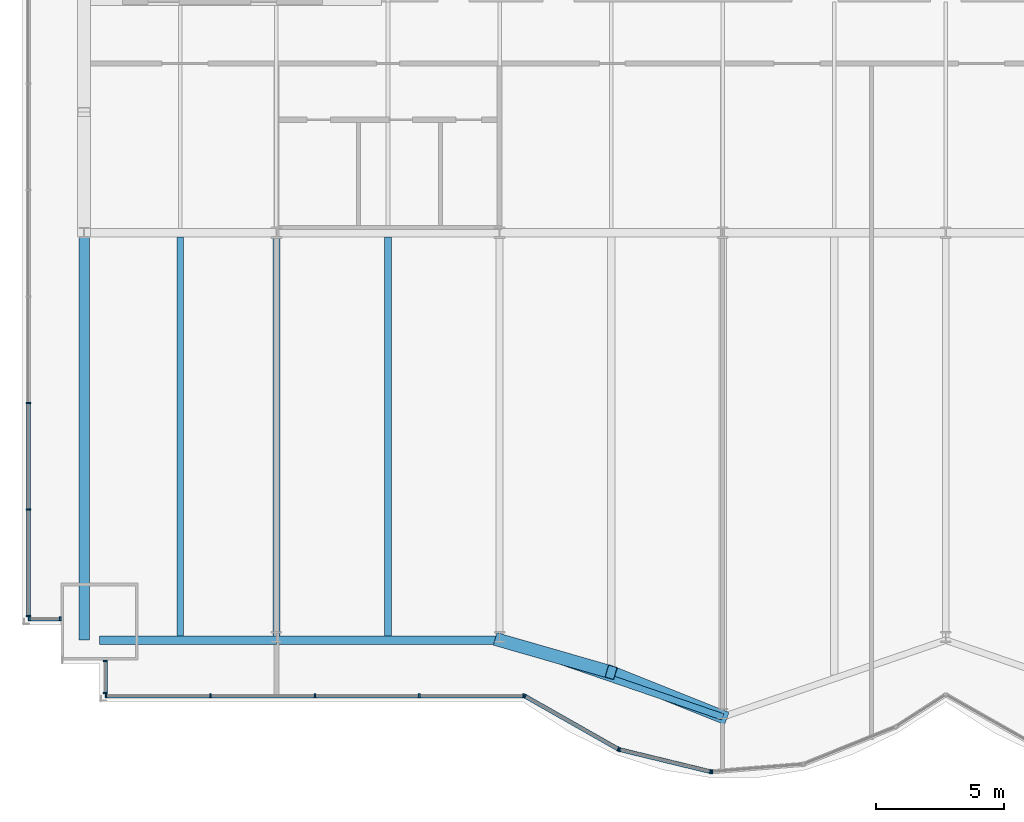
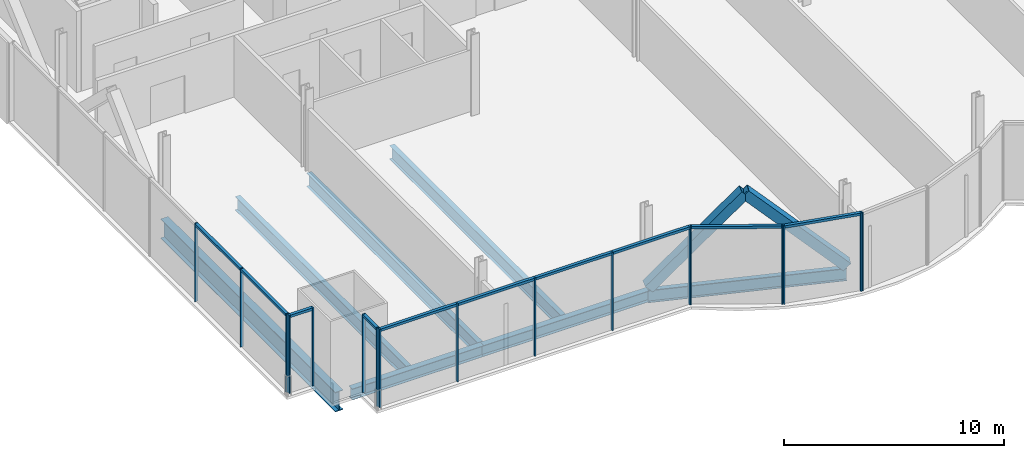
# One storey, part 4 of 21: 29 members, 7 beams, 5 elements without a shape of their own.
"""IFC4 building model written with IfcOpenShell, lengths in metres."""

from ifc_helpers import new_model, si_unit, direction, frame, origin, origin_2d, place, context, subcontext, project, spatial, rectangle, hollow_rectangle, i_section, extrude, material, material_profile, profile_set, type_object, element, aggregate, save


model = new_model("IFC4")

# Units and contexts
model_context = context("Model", 3, precision=1e-05, world=origin(), true_north=direction((0.0, 1.0)))
body_context = subcontext(model_context, "Body", "Model", "MODEL_VIEW")
ifc_project = project(units=[si_unit("LENGTHUNIT", "METRE"), si_unit("AREAUNIT", "SQUARE_METRE"), si_unit("VOLUMEUNIT", "CUBIC_METRE"), si_unit("PLANEANGLEUNIT", "RADIAN"), si_unit("MASSUNIT", "GRAM", prefix="KILO")], contexts=[model_context])

# Site, building, storey
site_placement = place(None, origin())
site = spatial("IfcSite", under=ifc_project, at=site_placement, CompositionType="ELEMENT")
building_placement = place(site_placement, origin())
building = spatial("IfcBuilding", under=site, at=building_placement, Name="Bicima Exchange Tower", CompositionType="ELEMENT")
storey_placement = place(building_placement, frame((0.0, 0.0, 66.5)))
storey = spatial("IfcBuildingStorey", under=building, at=storey_placement, Name="L13", CompositionType="ELEMENT", Elevation=66.5)

# Curtain wall, members
ifc_material_1 = material(Name="Anodised bronze aluminium", Category="aluminium")
curtain_wall_type_1 = type_object("IfcCurtainWallType", Name="End face glass wall", PredefinedType="NOTDEFINED", material=ifc_material_1)
curtain_wall_1_placement = place(storey_placement, origin())
curtain_wall_1 = element("IfcCurtainWall", 1, at=curtain_wall_1_placement, inside=storey, type_object=curtain_wall_type_1, Name="End face glass wall L13 run 2", PredefinedType="NOTDEFINED")
ifc_material_profile_1 = material_profile(ifc_material_1, rectangle(XDim=0.159912109375, YDim=0.06005859375, at=origin_2d()))
ifc_profile_set_1 = profile_set([ifc_material_profile_1], Name="Anodised bronze aluminium")
member_type_1 = type_object("IfcMemberType", Name="End face glass wall mullion 60 x 160", PredefinedType="MULLION", material=ifc_profile_set_1)
member_1_placement = place(storey_placement, frame((-35.77001953125, -28.644775390625, 0.0), z_axis=(0.0, 0.0, 1.0), x_axis=(1.0, 0.0, 0.0)))
member_1 = element("IfcMember", 2, at=member_1_placement, type_object=member_type_1, Name="End face glass wall mullion 5", PredefinedType="MULLION", context=body_context, shape_type="SweptSolid", body=[
    extrude(rectangle(XDim=0.159912109375, YDim=0.06005859375, at=origin_2d()), origin(), (0.0, 0.0, 1.0), 4.35009765625),
])
member_2_placement = place(storey_placement, frame((-35.77001953125, -32.79833984375, 0.0), z_axis=(0.0, 0.0, 1.0), x_axis=(1.0, 0.0, 0.0)))
member_2 = element("IfcMember", 3, at=member_2_placement, type_object=member_type_1, Name="End face glass wall mullion 6", PredefinedType="MULLION", context=body_context, shape_type="SweptSolid", body=[
    extrude(rectangle(XDim=0.159912109375, YDim=0.06005859375, at=origin_2d()), origin(), (0.0, 0.0, 1.0), 4.35009765625),
])
member_3_placement = place(storey_placement, frame((-35.77001953125, -36.951904296875, 0.0), z_axis=(0.0, 0.0, 1.0), x_axis=(1.0, 0.0, 0.0)))
member_3 = element("IfcMember", 4, at=member_3_placement, type_object=member_type_1, Name="End face glass wall mullion 7", PredefinedType="MULLION", context=body_context, shape_type="SweptSolid", body=[
    extrude(rectangle(XDim=0.159912109375, YDim=0.06005859375, at=origin_2d()), origin(), (0.0, 0.0, 1.0), 4.35009765625),
])
ifc_material_profile_2 = material_profile(ifc_material_1, rectangle(XDim=0.159912109375, YDim=0.139892578125, at=origin_2d()))
ifc_profile_set_2 = profile_set([ifc_material_profile_2], Name="Anodised bronze aluminium")
member_type_2 = type_object("IfcMemberType", Name="End face glass wall transom 140 x 160", PredefinedType="USERDEFINED", material=ifc_profile_set_2)
member_4_placement = place(storey_placement, frame((-35.77001953125, -28.6748046875, 4.280029296875), z_axis=(0.0, -1.0, 0.0), x_axis=(1.0, 0.0, 0.0)))
member_4 = element("IfcMember", 5, at=member_4_placement, type_object=member_type_2, Name="End face glass wall transom 5.1", ObjectType="TRANSOM", PredefinedType="USERDEFINED", context=body_context, shape_type="SweptSolid", body=[
    extrude(rectangle(XDim=0.159912109375, YDim=0.139892578125, at=origin_2d()), origin(), (0.0, 0.0, 1.0), 4.093505859375),
])
member_5_placement = place(storey_placement, frame((-35.77001953125, -32.828369140625, 4.280029296875), z_axis=(0.0, -1.0, 0.0), x_axis=(1.0, 0.0, 0.0)))
member_5 = element("IfcMember", 6, at=member_5_placement, type_object=member_type_2, Name="End face glass wall transom 6.1", ObjectType="TRANSOM", PredefinedType="USERDEFINED", context=body_context, shape_type="SweptSolid", body=[
    extrude(rectangle(XDim=0.159912109375, YDim=0.139892578125, at=origin_2d()), origin(), (0.0, 0.0, 1.0), 4.09375),
])
aggregate(curtain_wall_1, [member_1, member_2, member_3, member_4, member_5])

# Beams
ifc_material_2 = material(Name="Steel ASTM A992 Gr 50", Category="steel")
ifc_material_profile_3 = material_profile(ifc_material_2, i_section(OverallWidth=0.4013671875, OverallDepth=1.089599609375, WebThickness=0.01806640625, FlangeThickness=0.031005859375, at=origin_2d()))
ifc_profile_set_3 = profile_set([ifc_material_profile_3], Name="Steel ASTM A992 Gr 50")
beam_type_1 = type_object("IfcBeamType", Name="End girder W44x230", PredefinedType="BEAM", material=ifc_profile_set_3)
beam_1_placement = place(storey_placement, frame((-33.60009765625, -22.0, -0.69482421875), z_axis=(0.0, -1.0, 0.0), x_axis=(1.0, 0.0, 0.0)))
element("IfcBeam", 7, at=beam_1_placement, inside=storey, type_object=beam_type_1, Name="End girder", PredefinedType="BEAM", context=body_context, shape_type="SweptSolid", body=[
    extrude(i_section(OverallWidth=0.4013671875, OverallDepth=1.089599609375, WebThickness=0.01806640625, FlangeThickness=0.031005859375, at=origin_2d()), origin(), (0.0, 0.0, 1.0), 15.89208984375),
])
ifc_material_profile_4 = material_profile(ifc_material_2, i_section(OverallWidth=0.2666015625, OverallDepth=0.75439453125, WebThickness=0.01318359375, FlangeThickness=0.01708984375, at=origin_2d()))
ifc_profile_set_4 = profile_set([ifc_material_profile_4], Name="Steel ASTM A992 Gr 50")
beam_type_2 = type_object("IfcBeamType", Name="Floor beam W30x99", PredefinedType="JOIST", material=ifc_profile_set_4)
for number, where, z_axis, x_axis, name in (
    (8, (-29.85009765625, -22.16259765625, -0.527099609375), (0.0, -1.0, 0.0), (1.0, 0.0, 0.0), "Floor beam"),
    (9, (-26.10009765625, -22.16259765625, -0.527099609375), (0.0, -1.0, 0.0), (1.0, 0.0, 0.0), "Floor beam"),
    (10, (-21.75, -22.16259765625, -0.527099609375), (0.0, -1.0, 0.0), (1.0, 0.0, 0.0), "Floor beam"),
):
    element("IfcBeam", number, at=place(storey_placement, frame(where, z_axis=z_axis, x_axis=x_axis)), inside=storey, type_object=beam_type_2, Name=name, PredefinedType="JOIST", context=body_context, shape_type="SweptSolid", body=[
        extrude(i_section(OverallWidth=0.2666015625, OverallDepth=0.75439453125, WebThickness=0.01318359375, FlangeThickness=0.01708984375, at=origin_2d()), origin(), (0.0, 0.0, 1.0), 15.56689453125),
    ])
ifc_material_profile_5 = material_profile(ifc_material_2, i_section(OverallWidth=0.3251953125, OverallDepth=0.612060546875, WebThickness=0.0126953125, FlangeThickness=0.01904296875, at=origin_2d()))
ifc_profile_set_5 = profile_set([ifc_material_profile_5], Name="Steel ASTM A992 Gr 50")
beam_type_3 = type_object("IfcBeamType", Name="Front girder W24x104", PredefinedType="BEAM", material=ifc_profile_set_5)
beam_2_placement = place(storey_placement, frame((-33.0, -37.89208984375, -0.4560546875), z_axis=(1.0, 0.0, 0.0), x_axis=(0.0, 1.0, 0.0)))
element("IfcBeam", 11, at=beam_2_placement, inside=storey, type_object=beam_type_3, Name="Front girder", PredefinedType="BEAM", context=body_context, shape_type="SweptSolid", body=[
    extrude(i_section(OverallWidth=0.3251953125, OverallDepth=0.612060546875, WebThickness=0.0126953125, FlangeThickness=0.01904296875, at=origin_2d()), origin(), (0.0, 0.0, 1.0), 6.89990234375),
])
beam_3_placement = place(storey_placement, frame((-26.10009765625, -37.89208984375, -0.4560546875), z_axis=(1.0, 0.0, 0.0), x_axis=(0.0, 1.0, 0.0)))
element("IfcBeam", 12, at=beam_3_placement, inside=storey, type_object=beam_type_3, Name="Front girder", PredefinedType="BEAM", context=body_context, shape_type="SweptSolid", body=[
    extrude(i_section(OverallWidth=0.3251953125, OverallDepth=0.612060546875, WebThickness=0.0126953125, FlangeThickness=0.01904296875, at=origin_2d()), origin(), (0.0, 0.0, 1.0), 8.7001953125),
])
ifc_material_profile_6 = material_profile(ifc_material_2, i_section(OverallWidth=0.256591796875, OverallDepth=0.693359375, WebThickness=0.014404296875, FlangeThickness=0.023681640625, at=origin_2d()))
ifc_profile_set_6 = profile_set([ifc_material_profile_6], Name="Steel ASTM A992 Gr 50")
beam_type_4 = type_object("IfcBeamType", Name="Front girder W27x114", PredefinedType="BEAM", material=ifc_profile_set_6)
beam_4_placement = place(storey_placement, frame((-17.39990234375, -37.89208984375, -0.49658203125), z_axis=(0.945674616091, -0.32511462668, 0.0), x_axis=(0.32511462668, 0.945674616091, 0.0)))
element("IfcBeam", 13, at=beam_4_placement, inside=storey, type_object=beam_type_4, Name="Front girder", PredefinedType="BEAM", context=body_context, shape_type="SweptSolid", body=[
    extrude(i_section(OverallWidth=0.256591796875, OverallDepth=0.693359375, WebThickness=0.014404296875, FlangeThickness=0.023681640625, at=origin_2d()), origin(), (0.0, 0.0, 1.0), 9.19970703125),
])

# Curtain wall, members
curtain_wall_type_2 = type_object("IfcCurtainWallType", Name="Front glass wall", PredefinedType="NOTDEFINED", material=ifc_material_1)
curtain_wall_2_placement = place(storey_placement, origin())
curtain_wall_2 = element("IfcCurtainWall", 14, at=curtain_wall_2_placement, inside=storey, type_object=curtain_wall_type_2, Name="Front glass wall L13 run 3", PredefinedType="NOTDEFINED")
member_type_3 = type_object("IfcMemberType", Name="Front glass wall mullion 60 x 160", PredefinedType="MULLION", material=ifc_profile_set_1)
member_6_placement = place(storey_placement, frame((-35.739990234375, -37.06201171875, 0.0), z_axis=(0.0, 0.0, 1.0), x_axis=(0.0, 1.0, 0.0)))
member_6 = element("IfcMember", 15, at=member_6_placement, type_object=member_type_3, Name="Front glass wall mullion 1", PredefinedType="MULLION", context=body_context, shape_type="SweptSolid", body=[
    extrude(rectangle(XDim=0.159912109375, YDim=0.06005859375, at=origin_2d()), origin(), (0.0, 0.0, 1.0), 4.35009765625),
])
member_7_placement = place(storey_placement, frame((-34.530029296875, -37.06201171875, 0.0), z_axis=(0.0, 0.0, 1.0), x_axis=(0.0, 1.0, 0.0)))
member_7 = element("IfcMember", 16, at=member_7_placement, type_object=member_type_3, Name="Front glass wall mullion 2", PredefinedType="MULLION", context=body_context, shape_type="SweptSolid", body=[
    extrude(rectangle(XDim=0.159912109375, YDim=0.06005859375, at=origin_2d()), origin(), (0.0, 0.0, 1.0), 4.35009765625),
])

curtain_wall_3_placement = place(storey_placement, origin())
curtain_wall_3 = element("IfcCurtainWall", 17, at=curtain_wall_3_placement, inside=storey, type_object=curtain_wall_type_2, Name="Front glass wall L13 run 4", PredefinedType="NOTDEFINED")
member_8_placement = place(storey_placement, frame((-32.77001953125, -38.699951171875, 0.0), z_axis=(0.0, 0.0, 1.0), x_axis=(1.0, 0.0, 0.0)))
member_8 = element("IfcMember", 18, at=member_8_placement, type_object=member_type_3, Name="Front glass wall mullion 1", PredefinedType="MULLION", context=body_context, shape_type="SweptSolid", body=[
    extrude(rectangle(XDim=0.159912109375, YDim=0.06005859375, at=origin_2d()), origin(), (0.0, 0.0, 1.0), 4.35009765625),
])
member_9_placement = place(storey_placement, frame((-32.77001953125, -39.951904296875, 0.0), z_axis=(0.0, 0.0, 1.0), x_axis=(1.0, 0.0, 0.0)))
member_9 = element("IfcMember", 19, at=member_9_placement, type_object=member_type_3, Name="Front glass wall mullion 2", PredefinedType="MULLION", context=body_context, shape_type="SweptSolid", body=[
    extrude(rectangle(XDim=0.159912109375, YDim=0.06005859375, at=origin_2d()), origin(), (0.0, 0.0, 1.0), 4.35009765625),
])

curtain_wall_4_placement = place(storey_placement, origin())
curtain_wall_4 = element("IfcCurtainWall", 20, at=curtain_wall_4_placement, inside=storey, type_object=curtain_wall_type_2, Name="Front glass wall L13 run 5", PredefinedType="NOTDEFINED")
member_10_placement = place(storey_placement, frame((-32.739990234375, -40.06201171875, 0.0), z_axis=(0.0, 0.0, 1.0), x_axis=(0.0, 1.0, 0.0)))
member_10 = element("IfcMember", 21, at=member_10_placement, type_object=member_type_3, Name="Front glass wall mullion 1", PredefinedType="MULLION", context=body_context, shape_type="SweptSolid", body=[
    extrude(rectangle(XDim=0.159912109375, YDim=0.06005859375, at=origin_2d()), origin(), (0.0, 0.0, 1.0), 4.35009765625),
])
member_11_placement = place(storey_placement, frame((-28.67041015625, -40.06201171875, 0.0), z_axis=(0.0, 0.0, 1.0), x_axis=(0.0, 1.0, 0.0)))
member_11 = element("IfcMember", 22, at=member_11_placement, type_object=member_type_3, Name="Front glass wall mullion 2", PredefinedType="MULLION", context=body_context, shape_type="SweptSolid", body=[
    extrude(rectangle(XDim=0.159912109375, YDim=0.06005859375, at=origin_2d()), origin(), (0.0, 0.0, 1.0), 4.35009765625),
])
member_12_placement = place(storey_placement, frame((-24.60107421875, -40.06201171875, 0.0), z_axis=(0.0, 0.0, 1.0), x_axis=(0.0, 1.0, 0.0)))
member_12 = element("IfcMember", 23, at=member_12_placement, type_object=member_type_3, Name="Front glass wall mullion 3", PredefinedType="MULLION", context=body_context, shape_type="SweptSolid", body=[
    extrude(rectangle(XDim=0.159912109375, YDim=0.06005859375, at=origin_2d()), origin(), (0.0, 0.0, 1.0), 4.35009765625),
])
member_13_placement = place(storey_placement, frame((-20.531494140625, -40.06201171875, 0.0), z_axis=(0.0, 0.0, 1.0), x_axis=(0.0, 1.0, 0.0)))
member_13 = element("IfcMember", 24, at=member_13_placement, type_object=member_type_3, Name="Front glass wall mullion 4", PredefinedType="MULLION", context=body_context, shape_type="SweptSolid", body=[
    extrude(rectangle(XDim=0.159912109375, YDim=0.06005859375, at=origin_2d()), origin(), (0.0, 0.0, 1.0), 4.35009765625),
])
member_14_placement = place(storey_placement, frame((-16.462158203125, -40.06201171875, 0.0), z_axis=(0.0, 0.0, 1.0), x_axis=(0.0, 1.0, 0.0)))
member_14 = element("IfcMember", 25, at=member_14_placement, type_object=member_type_3, Name="Front glass wall mullion 5", PredefinedType="MULLION", context=body_context, shape_type="SweptSolid", body=[
    extrude(rectangle(XDim=0.159912109375, YDim=0.06005859375, at=origin_2d()), origin(), (0.0, 0.0, 1.0), 4.35009765625),
])

curtain_wall_5_placement = place(storey_placement, origin())
curtain_wall_5 = element("IfcCurtainWall", 26, at=curtain_wall_5_placement, inside=storey, type_object=curtain_wall_type_2, Name="Front glass wall L13 run 6", PredefinedType="NOTDEFINED")
member_15_placement = place(storey_placement, frame((-16.406005859375, -40.076904296875, 0.0), z_axis=(0.0, 0.0, 1.0), x_axis=(0.493395449343, 0.869805110681, 0.0)))
member_15 = element("IfcMember", 27, at=member_15_placement, type_object=member_type_3, Name="Front glass wall mullion 1", PredefinedType="MULLION", context=body_context, shape_type="SweptSolid", body=[
    extrude(rectangle(XDim=0.159912109375, YDim=0.06005859375, at=origin_2d()), origin(), (0.0, 0.0, 1.0), 4.35009765625),
])
member_16_placement = place(storey_placement, frame((-12.7734375, -42.137451171875, 0.0), z_axis=(0.0, 0.0, 1.0), x_axis=(0.493395449343, 0.869805110681, 0.0)))
member_16 = element("IfcMember", 28, at=member_16_placement, type_object=member_type_3, Name="Front glass wall mullion 2", PredefinedType="MULLION", context=body_context, shape_type="SweptSolid", body=[
    extrude(rectangle(XDim=0.159912109375, YDim=0.06005859375, at=origin_2d()), origin(), (0.0, 0.0, 1.0), 4.35009765625),
])
member_17_placement = place(storey_placement, frame((-12.718017578125, -42.1591796875, 0.0), z_axis=(0.0, 0.0, 1.0), x_axis=(0.235681529503, 0.971830343553, 0.0)))
member_17 = element("IfcMember", 29, at=member_17_placement, type_object=member_type_3, Name="Front glass wall mullion 1", PredefinedType="MULLION", context=body_context, shape_type="SweptSolid", body=[
    extrude(rectangle(XDim=0.159912109375, YDim=0.06005859375, at=origin_2d()), origin(), (0.0, 0.0, 1.0), 4.35009765625),
])
member_18_placement = place(storey_placement, frame((-9.177490234375, -43.017822265625, 0.0), z_axis=(0.0, 0.0, 1.0), x_axis=(0.235681529503, 0.971830343553, 0.0)))
member_18 = element("IfcMember", 30, at=member_18_placement, type_object=member_type_3, Name="Front glass wall mullion 2", PredefinedType="MULLION", context=body_context, shape_type="SweptSolid", body=[
    extrude(rectangle(XDim=0.159912109375, YDim=0.06005859375, at=origin_2d()), origin(), (0.0, 0.0, 1.0), 4.35009765625),
])
member_19_placement = place(storey_placement, frame((-9.118408203125, -43.022705078125, 0.0), z_axis=(0.0, 0.0, 1.0), x_axis=(-0.080588612633, 0.99674744821, 0.0)))
member_19 = element("IfcMember", 31, at=member_19_placement, type_object=member_type_3, Name="Front glass wall mullion 1", PredefinedType="MULLION", context=body_context, shape_type="SweptSolid", body=[
    extrude(rectangle(XDim=0.159912109375, YDim=0.06005859375, at=origin_2d()), origin(), (0.0, 0.0, 1.0), 4.35009765625),
])

# Member
member_type_4 = type_object("IfcMemberType", Name="Front glass wall transom 140 x 160", PredefinedType="USERDEFINED", material=ifc_profile_set_2)
member_20_placement = place(storey_placement, frame((-35.7099609375, -37.06201171875, 4.280029296875), z_axis=(1.0, 0.0, 0.0), x_axis=(0.0, 1.0, 0.0)))
member_20 = element("IfcMember", 32, at=member_20_placement, type_object=member_type_4, Name="Front glass wall transom 1.1", ObjectType="TRANSOM", PredefinedType="USERDEFINED", context=body_context, shape_type="SweptSolid", body=[
    extrude(rectangle(XDim=0.159912109375, YDim=0.139892578125, at=origin_2d()), origin(), (0.0, 0.0, 1.0), 1.14990234375),
])

aggregate(curtain_wall_2, [member_6, member_7, member_20])

member_21_placement = place(storey_placement, frame((-32.77001953125, -38.72998046875, 4.280029296875), z_axis=(0.0, -1.0, 0.0), x_axis=(1.0, 0.0, 0.0)))
member_21 = element("IfcMember", 33, at=member_21_placement, type_object=member_type_4, Name="Front glass wall transom 1.1", ObjectType="TRANSOM", PredefinedType="USERDEFINED", context=body_context, shape_type="SweptSolid", body=[
    extrude(rectangle(XDim=0.159912109375, YDim=0.139892578125, at=origin_2d()), origin(), (0.0, 0.0, 1.0), 1.192138671875),
])

aggregate(curtain_wall_3, [member_8, member_9, member_21])

member_22_placement = place(storey_placement, frame((-32.7099609375, -40.06201171875, 4.280029296875), z_axis=(1.0, 0.0, 0.0), x_axis=(0.0, 1.0, 0.0)))
member_22 = element("IfcMember", 34, at=member_22_placement, type_object=member_type_4, Name="Front glass wall transom 1.1", ObjectType="TRANSOM", PredefinedType="USERDEFINED", context=body_context, shape_type="SweptSolid", body=[
    extrude(rectangle(XDim=0.159912109375, YDim=0.139892578125, at=origin_2d()), origin(), (0.0, 0.0, 1.0), 4.009521484375),
])

member_23_placement = place(storey_placement, frame((-28.640380859375, -40.06201171875, 4.280029296875), z_axis=(1.0, 0.0, 0.0), x_axis=(0.0, 1.0, 0.0)))
member_23 = element("IfcMember", 35, at=member_23_placement, type_object=member_type_4, Name="Front glass wall transom 2.1", ObjectType="TRANSOM", PredefinedType="USERDEFINED", context=body_context, shape_type="SweptSolid", body=[
    extrude(rectangle(XDim=0.159912109375, YDim=0.139892578125, at=origin_2d()), origin(), (0.0, 0.0, 1.0), 4.00927734375),
])

member_24_placement = place(storey_placement, frame((-24.571044921875, -40.06201171875, 4.280029296875), z_axis=(1.0, 0.0, 0.0), x_axis=(0.0, 1.0, 0.0)))
member_24 = element("IfcMember", 36, at=member_24_placement, type_object=member_type_4, Name="Front glass wall transom 3.1", ObjectType="TRANSOM", PredefinedType="USERDEFINED", context=body_context, shape_type="SweptSolid", body=[
    extrude(rectangle(XDim=0.159912109375, YDim=0.139892578125, at=origin_2d()), origin(), (0.0, 0.0, 1.0), 4.009521484375),
])

member_25_placement = place(storey_placement, frame((-20.501708984375, -40.06201171875, 4.280029296875), z_axis=(1.0, 0.0, 0.0), x_axis=(0.0, 1.0, 0.0)))
member_25 = element("IfcMember", 37, at=member_25_placement, type_object=member_type_4, Name="Front glass wall transom 4.1", ObjectType="TRANSOM", PredefinedType="USERDEFINED", context=body_context, shape_type="SweptSolid", body=[
    extrude(rectangle(XDim=0.159912109375, YDim=0.139892578125, at=origin_2d()), origin(), (0.0, 0.0, 1.0), 4.009521484375),
])

aggregate(curtain_wall_4, [member_10, member_11, member_12, member_13, member_14, member_22, member_23, member_24, member_25])

member_26_placement = place(storey_placement, frame((-16.3798828125, -40.091552734375, 4.280029296875), z_axis=(0.869797371721, -0.49340909208, 0.0), x_axis=(0.49340909208, 0.869797371721, 0.0)))
member_26 = element("IfcMember", 38, at=member_26_placement, type_object=member_type_4, Name="Front glass wall transom 1.1", ObjectType="TRANSOM", PredefinedType="USERDEFINED", context=body_context, shape_type="SweptSolid", body=[
    extrude(rectangle(XDim=0.159912109375, YDim=0.139892578125, at=origin_2d()), origin(), (0.0, 0.0, 1.0), 4.1162109375),
])

member_27_placement = place(storey_placement, frame((-12.68896484375, -42.166259765625, 4.280029296875), z_axis=(0.971817951661, -0.235732621477, 0.0), x_axis=(0.235732621477, 0.971817951661, 0.0)))
member_27 = element("IfcMember", 39, at=member_27_placement, type_object=member_type_4, Name="Front glass wall transom 1.1", ObjectType="TRANSOM", PredefinedType="USERDEFINED", context=body_context, shape_type="SweptSolid", body=[
    extrude(rectangle(XDim=0.159912109375, YDim=0.139892578125, at=origin_2d()), origin(), (0.0, 0.0, 1.0), 3.58349609375),
])

aggregate(curtain_wall_5, [member_15, member_16, member_26, member_17, member_18, member_27, member_19])

# Members
ifc_material_3 = material(Name="Steel ASTM A572 Gr 50", Category="steel")
ifc_material_profile_7 = material_profile(ifc_material_3, hollow_rectangle(XDim=0.508056640625, YDim=0.508056640625, WallThickness=0.017822265625, at=origin_2d()))
ifc_profile_set_7 = profile_set([ifc_material_profile_7], Name="Steel ASTM A572 Gr 50")
member_type_5 = type_object("IfcMemberType", Name="Mega brace HSS20x20x3/4", PredefinedType="BRACE", material=ifc_profile_set_7)
member_28_placement = place(storey_placement, frame((-17.39990234375, -37.89208984375, 0.0), z_axis=(0.681519101026, -0.196074923492, 0.705043501718), x_axis=(0.27648739579, 0.961017544049, 0.0)))
element("IfcMember", 40, at=member_28_placement, inside=storey, type_object=member_type_5, Name="Mega brace front", PredefinedType="BRACE", context=body_context, shape_type="SweptSolid", body=[
    extrude(hollow_rectangle(XDim=0.508056640625, YDim=0.508056640625, WallThickness=0.017822265625, at=origin_2d()), origin(), (0.0, 0.0, 1.0), 6.382568359375),
])
member_29_placement = place(storey_placement, frame((-8.699951171875, -40.883056640625, 0.0), z_axis=(-0.669648363719, 0.26777666357, 0.692724135148), x_axis=(-0.371291842786, -0.928516218211, 0.0)))
element("IfcMember", 41, at=member_29_placement, inside=storey, type_object=member_type_5, Name="Mega brace front", PredefinedType="BRACE", context=body_context, shape_type="SweptSolid", body=[
    extrude(hollow_rectangle(XDim=0.508056640625, YDim=0.508056640625, WallThickness=0.017822265625, at=origin_2d()), origin(), (0.0, 0.0, 1.0), 6.49609375),
])

save(model, "model.ifc")
